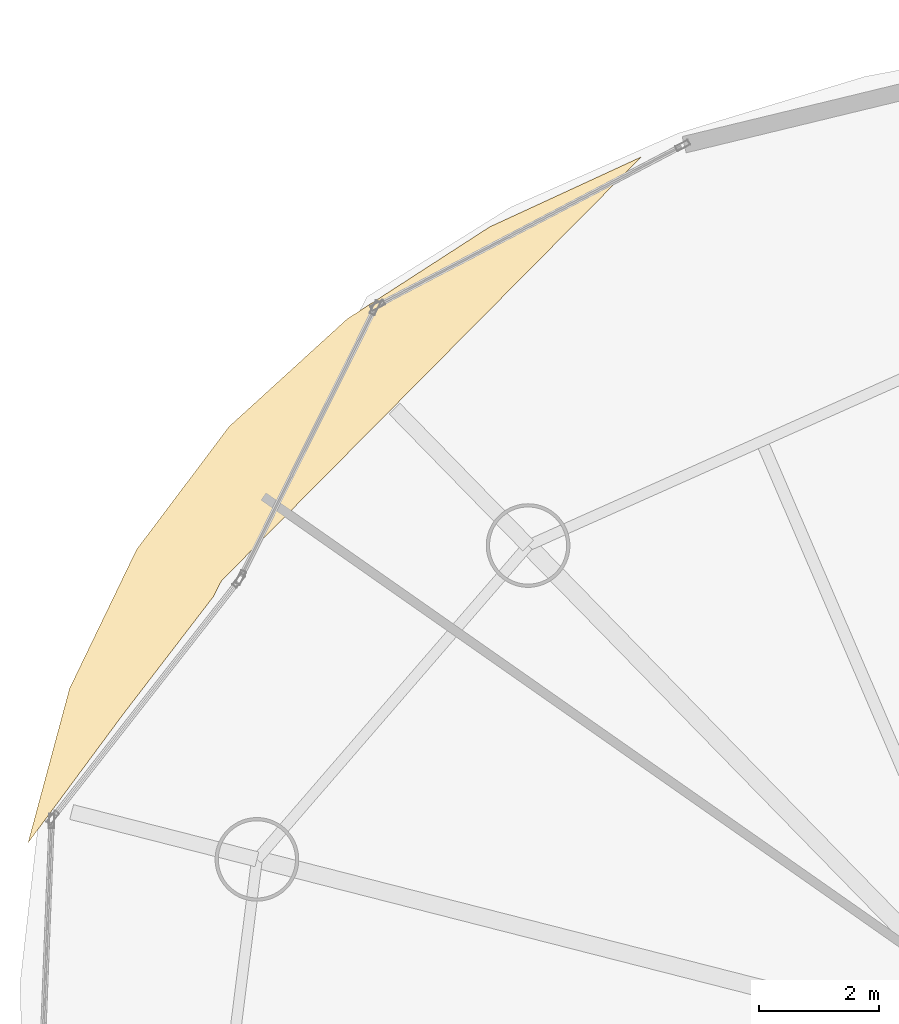
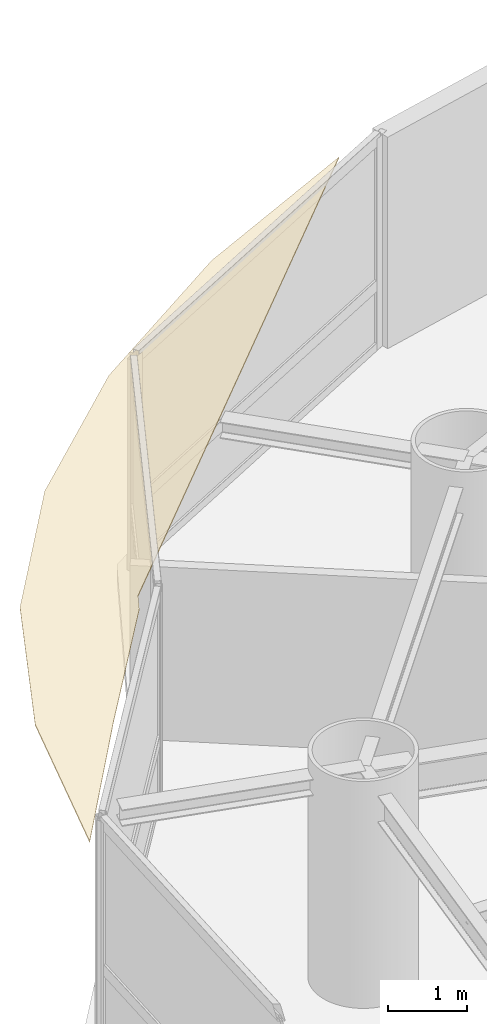
# One storey, part 23 of 23: 1 covering.
"""IFC4 building model written with IfcOpenShell, lengths in metres."""

import ifcopenshell
import ifcopenshell.guid

model = None  # the IFC model being written
_history = None  # IfcOwnerHistory: only IFC2X3 demands one
_inside = {}  # id of a spatial element -> (the spatial element, [elements in it])
_under = {}  # id of a project, library or spatial element -> (it, [spatial elements below it])
_declared = {}  # id of a project -> (the project, [libraries it declares])
_typed = {}  # id of a type object -> (the type object, [elements of that type])
_made_of = {}  # id of a material, layer set ... -> (it, [elements and type objects made of it])


def new_model(schema):
    """Start an empty IFC model of exactly this schema.

    Asked for "IFC4X3", IfcOpenShell would pick the latest addendum, in which some entities
    have other attributes; the version numbers below select the first issue.
    IFC2X3 requires an IfcOwnerHistory on every rooted entity: one is made here for all.
    """
    global model, _history
    if schema == "IFC4X3":
        model = ifcopenshell.file(schema_version=(4, 3, 0, 0))
    else:
        model = ifcopenshell.file(schema=schema)
    _inside.clear()
    _under.clear()
    _declared.clear()
    _typed.clear()
    _made_of.clear()
    _history = None
    if model.schema == "IFC2X3":
        org = make("IfcOrganization", Name="unknown")
        user = make(
            "IfcPersonAndOrganization",
            ThePerson=make("IfcPerson", FamilyName="unknown"),
            TheOrganization=org,
        )
        app = make(
            "IfcApplication",
            ApplicationDeveloper=org,
            Version="unknown",
            ApplicationFullName="unknown",
            ApplicationIdentifier="unknown",
        )
        _history = make(
            "IfcOwnerHistory",
            OwningUser=user,
            OwningApplication=app,
            ChangeAction="ADDED",
            CreationDate=0,
        )
    return model


def make(cls, **values):
    """One entity of the class cls with the attributes given. An attribute that is None is left unset."""
    return model.create_entity(
        cls, **{name: value for name, value in values.items() if value is not None}
    )


def rooted(cls, **values):
    """An entity with a GlobalId (a new one), such as an element, a storey or a relation."""
    return make(cls, GlobalId=ifcopenshell.guid.new(), OwnerHistory=_history, **values)


def si_unit(unit_type, name, prefix=None):
    """IfcSIUnit, for example si_unit("LENGTHUNIT", "METRE", prefix="MILLI")."""
    return make("IfcSIUnit", UnitType=unit_type, Prefix=prefix, Name=name)


def assignment(units):
    """IfcUnitAssignment: the units of a project."""
    return None if units is None else make("IfcUnitAssignment", Units=units)


def point(xyz):
    """IfcCartesianPoint."""
    return None if xyz is None else make("IfcCartesianPoint", Coordinates=xyz)


def direction(xyz):
    """IfcDirection."""
    return None if xyz is None else make("IfcDirection", DirectionRatios=xyz)


def frame(location, z_axis=None, x_axis=None):
    """IfcAxis2Placement3D, a coordinate frame: its origin and axes. An axis left out is left unset."""
    return make(
        "IfcAxis2Placement3D",
        Location=point(location),
        Axis=direction(z_axis),
        RefDirection=direction(x_axis),
    )


def origin():
    """The frame at (0, 0, 0) with its axes left unset."""
    return frame((0.0, 0.0, 0.0))


def place(relative_to, where):
    """IfcLocalPlacement: puts the frame where relative to a parent placement (None: the world)."""
    return make(
        "IfcLocalPlacement", PlacementRelTo=relative_to, RelativePlacement=where
    )


def context(
    kind, dimensions, precision=None, world=None, true_north=None, identifier=None
):
    """IfcGeometricRepresentationContext, for example the 3D "Model" context."""
    return make(
        "IfcGeometricRepresentationContext",
        ContextIdentifier=identifier,
        ContextType=kind,
        CoordinateSpaceDimension=dimensions,
        Precision=precision,
        WorldCoordinateSystem=world,
        TrueNorth=true_north,
    )


def subcontext(parent, identifier, kind, view, scale=None):
    """IfcGeometricRepresentationSubContext, for example "Body" below "Model"."""
    return make(
        "IfcGeometricRepresentationSubContext",
        ContextIdentifier=identifier,
        ContextType=kind,
        ParentContext=parent,
        TargetScale=scale,
        TargetView=view,
    )


def project(units=None, contexts=None):
    """IfcProject with its units and contexts."""
    return rooted(
        "IfcProject",
        Name="project",
        RepresentationContexts=contexts,
        UnitsInContext=assignment(units),
    )


def spatial(cls, under=None, at=None, **own):
    """A site, building, storey or space (cls), placed at a placement, below another one or the project."""
    s = rooted(cls, ObjectPlacement=at, **own)
    if under is not None:
        _under.setdefault(under.id(), (under, []))[1].append(s)
    return s


def polyline(points):
    """IfcPolyline through the points."""
    return make("IfcPolyline", Points=[point(p) for p in points])


def outline(outer, holes=None, kind="AREA"):
    """IfcArbitraryClosedProfileDef: a profile drawn as a closed curve; with holes, ...WithVoids."""
    if holes is None:
        return make("IfcArbitraryClosedProfileDef", ProfileType=kind, OuterCurve=outer)
    return make(
        "IfcArbitraryProfileDefWithVoids",
        ProfileType=kind,
        OuterCurve=outer,
        InnerCurves=holes,
    )


def extrude(swept, where, along, depth):
    """IfcExtrudedAreaSolid: the profile swept, set in the frame where, extruded along a direction by depth."""
    return make(
        "IfcExtrudedAreaSolid",
        SweptArea=swept,
        Position=where,
        ExtrudedDirection=direction(along),
        Depth=depth,
    )


def shape(context_of_items, identifier, shape_type, items):
    """IfcShapeRepresentation: the items that make up one representation, for example the "Body"."""
    return make(
        "IfcShapeRepresentation",
        ContextOfItems=context_of_items,
        RepresentationIdentifier=identifier,
        RepresentationType=shape_type,
        Items=items,
    )


def material(Name=None, Category=None):
    """IfcMaterial."""
    return make("IfcMaterial", Name=Name, Category=Category)


def layer(
    of_material, thickness, ventilated=None, Name=None, Category=None, Priority=None
):
    """IfcMaterialLayer: one layer of a wall or slab, of a material (None: an air gap)."""
    return make(
        "IfcMaterialLayer",
        Material=of_material,
        LayerThickness=thickness,
        IsVentilated=ventilated,
        Name=Name,
        Category=Category,
        Priority=Priority,
    )


def layer_set(layers, Name=None):
    """IfcMaterialLayerSet."""
    return make("IfcMaterialLayerSet", MaterialLayers=layers, LayerSetName=Name)


def made_of(thing, what):
    """Note that an element or type object is made of a material, layer set ...; save() writes the relation."""
    if what is not None:
        _made_of.setdefault(what.id(), (what, []))[1].append(thing)
    return thing


def type_object(cls, material=None, **own):
    """A type object (cls), such as IfcWallType, which elements share."""
    return made_of(rooted(cls, **own), material)


def element(
    cls,
    number,
    at=None,
    inside=None,
    cuts=None,
    type_object=None,
    material=None,
    context=None,
    identifier="Body",
    shape_type=None,
    held_by="IfcProductDefinitionShape",
    body=None,
    shapes=None,
    **own,
):
    """One element of the class cls, such as IfcWall. Its Tag is "e" and its number.

    at: its placement. inside: the storey or other place that contains it. cuts: it is an
    opening in that element (IfcRelVoidsElement). A single representation is given by context,
    identifier, shape_type and body (its items); several are given by shapes. held_by: the class
    of the entity that holds the representations. save() writes the other relations.
    """
    e = rooted(cls, Tag="e%d" % number, ObjectPlacement=at, **own)
    if body is not None:
        shapes = [shape(context, identifier, shape_type, body)]
    if shapes is not None:
        e.Representation = make(held_by, Representations=shapes)
    if inside is not None:
        _inside.setdefault(inside.id(), (inside, []))[1].append(e)
    if cuts is not None:
        rooted(
            "IfcRelVoidsElement", RelatingBuildingElement=cuts, RelatedOpeningElement=e
        )
    if type_object is not None:
        _typed.setdefault(type_object.id(), (type_object, []))[1].append(e)
    return made_of(e, material)


def aggregate(whole, parts):
    """IfcRelAggregates: a whole, such as a stair, and the parts it consists of."""
    return rooted("IfcRelAggregates", RelatingObject=whole, RelatedObjects=parts)


def save(model, path):
    """Write the relations noted so far, then the file.

    IfcRelAggregates (storeys below a building ...), IfcRelContainedInSpatialStructure (elements
    in a storey), IfcRelDefinesByType, IfcRelAssociatesMaterial and IfcRelDeclares: one each for
    every whole, place, type object, material and project.
    """
    for whole, parts in _under.values():
        aggregate(whole, parts)
    for where, things in _inside.values():
        rooted(
            "IfcRelContainedInSpatialStructure",
            RelatedElements=things,
            RelatingStructure=where,
        )
    for kind, things in _typed.values():
        rooted("IfcRelDefinesByType", RelatedObjects=things, RelatingType=kind)
    for what, things in _made_of.values():
        rooted("IfcRelAssociatesMaterial", RelatedObjects=things, RelatingMaterial=what)
    for by, libraries in _declared.values():
        rooted("IfcRelDeclares", RelatingContext=by, RelatedDefinitions=libraries)
    model.write(path)


model = new_model("IFC4")

# Units and contexts
model_context = context("Model", 3, precision=1e-05, world=origin(), true_north=direction((0.0, 1.0)))
body_context = subcontext(model_context, "Body", "Model", "MODEL_VIEW")
ifc_project = project(units=[si_unit("LENGTHUNIT", "METRE"), si_unit("AREAUNIT", "SQUARE_METRE"), si_unit("VOLUMEUNIT", "CUBIC_METRE"), si_unit("PLANEANGLEUNIT", "RADIAN"), si_unit("MASSUNIT", "GRAM", prefix="KILO")], contexts=[model_context])

# Site, building, storey
site_placement = place(None, origin())
site = spatial("IfcSite", under=ifc_project, at=site_placement, CompositionType="ELEMENT")
building_placement = place(site_placement, origin())
building = spatial("IfcBuilding", under=site, at=building_placement, Name="Bramvorn Convention Spire", CompositionType="ELEMENT")
storey_placement = place(building_placement, frame((0.0, 0.0, 158.800048828125)))
storey = spatial("IfcBuildingStorey", under=building, at=storey_placement, Name="L40", CompositionType="ELEMENT", Elevation=158.800048828125)

# Covering
ifc_material = material(Name="Champagne Bronze Aluminium Composite Soffit", Category="aluminium")
ifc_layer = layer(ifc_material, 0.02490234375)
ifc_layer_set = layer_set([ifc_layer], Name="Champagne Bronze Aluminium Composite Soffit - COV-CLAD-SOFFIT-25")
covering_type = type_object("IfcCoveringType", Name="COV-CLAD-SOFFIT-25", PredefinedType="CLADDING", material=ifc_layer_set)
covering_placement = place(storey_placement, frame((0.0, 0.0, 3.23486328125)))
element("IfcCovering", 1, at=covering_placement, inside=storey, type_object=covering_type, Name="L39 double-height Sky Garden bronze soffit", PredefinedType="CLADDING", context=body_context, shape_type="SweptSolid", body=[
    extrude(outline(polyline([(10.74755859375, 39.598388671875), (10.053466796875, 37.01708984375), (11.63623046875, 39.156494140625), (13.155029296875, 41.1357421875), (13.290283203125, 41.4013671875), (20.3125, 48.4921875), (17.779541015625, 47.322998046875), (15.392333984375, 45.78076171875), (13.4169921875, 43.97998046875), (11.867431640625, 41.920166015625), (10.74755859375, 39.598388671875)])), origin(), (0.0, 0.0, 1.0), 0.025146484375),
])

save(model, "model.ifc")
